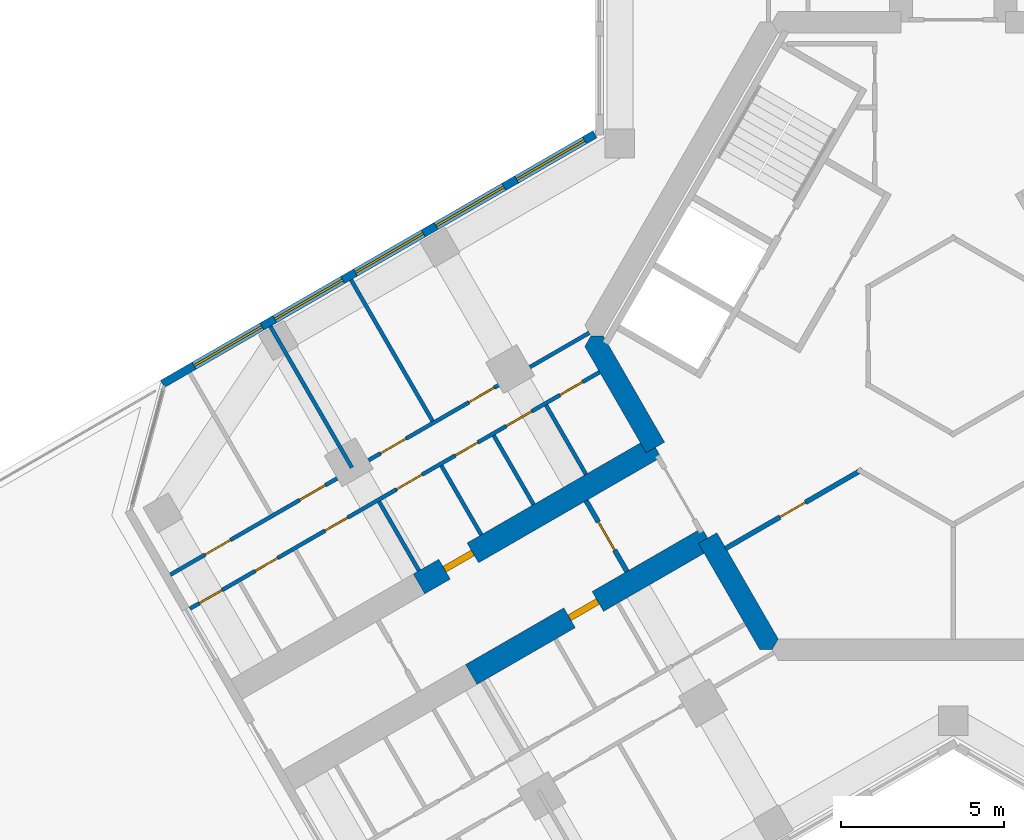
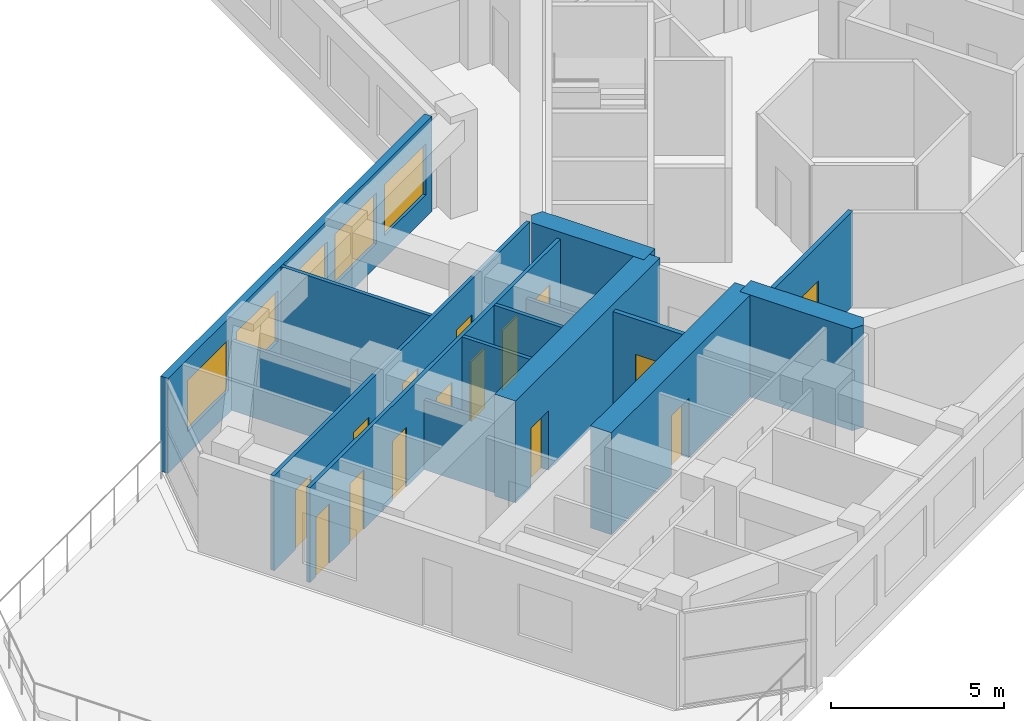
# One storey, part 9 of 17: 15 doors, 15 walls, 5 windows, 20 openings.
"""IFC4 building model written with IfcOpenShell, lengths in metres."""

from ifc_helpers import new_model, si_unit, direction, frame, frame_2d, origin, place, context, subcontext, project, spatial, polyline, rectangle, outline, extrude, material, layer, layer_set, type_object, element, fill, save


model = new_model("IFC4")

# Units and contexts
model_context = context("Model", 3, precision=1e-05, world=origin(), true_north=direction((0.0, 1.0)))
body_context = subcontext(model_context, "Body", "Model", "MODEL_VIEW")
ifc_project = project(units=[si_unit("LENGTHUNIT", "METRE"), si_unit("AREAUNIT", "SQUARE_METRE"), si_unit("VOLUMEUNIT", "CUBIC_METRE"), si_unit("PLANEANGLEUNIT", "RADIAN"), si_unit("MASSUNIT", "GRAM", prefix="KILO")], contexts=[model_context])

# Site, building, storey
site_placement = place(None, origin())
site = spatial("IfcSite", under=ifc_project, at=site_placement, CompositionType="ELEMENT")
building_placement = place(site_placement, origin())
building = spatial("IfcBuilding", under=site, at=building_placement, Name="Kosmar Iwan School Tower", CompositionType="ELEMENT")
storey_placement = place(building_placement, frame((0.0, 0.0, 193.800048828125)))
storey = spatial("IfcBuildingStorey", under=building, at=storey_placement, Name="L48", CompositionType="ELEMENT", Elevation=193.800048828125)

# Wall, opening, door
ifc_material_1 = material(Name="Gypsum board on steel studs, fire-rated", Category="steel")
ifc_layer_1 = layer(ifc_material_1, 0.14990234375)
ifc_layer_set_1 = layer_set([ifc_layer_1], Name="Core room partition 150")
wall_type_1 = type_object("IfcWallType", Name="Core room partition 150", PredefinedType="PARTITIONING", material=ifc_layer_set_1)
wall_1_placement = place(storey_placement, frame((-6.974609375, -6.509521484375, 0.0), z_axis=(0.0, 0.0, 1.0), x_axis=(0.866010775586, 0.500025335927, 0.0)))
wall_1 = element("IfcWall", 1, at=wall_1_placement, inside=storey, type_object=wall_type_1, Name="Core room partition L48-CW5", PredefinedType="PARTITIONING", context=body_context, shape_type="SweptSolid", body=[
    extrude(rectangle(XDim=4.837646484375, YDim=0.14990234375, at=frame_2d((2.4189453125, 0.0))), origin(), (0.0, 0.0, 1.0), 3.349853515625),
])
opening_1_placement = place(wall_1_placement, frame((1.93408203125, 0.0, 0.0)))
opening_1 = element("IfcOpeningElement", 2, at=opening_1_placement, cuts=wall_1, Name="Opening D14", PredefinedType="OPENING", context=body_context, shape_type="SweptSolid", body=[
    extrude(rectangle(XDim=0.89990234375, YDim=2.10009765625, at=frame_2d((0.449951171875, 1.050048828125))), frame((0.0, 0.0869140625, 0.0), z_axis=(0.0, -1.0, 0.0), x_axis=(1.0, 0.0, 0.0)), (0.0, 0.0, 1.0), 0.173828125),
])
ifc_material_2 = material(Name="Timber fire door in steel frame", Category="steel")
door_type_1 = type_object("IfcDoorType", Name="Core room door 900x2100", OperationType="SINGLE_SWING_LEFT", PredefinedType="DOOR", material=ifc_material_2)
door_1_placement = place(opening_1_placement, origin())
door_1 = element("IfcDoor", 3, at=door_1_placement, inside=storey, type_object=door_type_1, Name="Residents' pantry door L48 3", OperationType="SINGLE_SWING_LEFT", OverallHeight=2.10009765625, OverallWidth=0.89990234375, PredefinedType="DOOR", context=body_context, shape_type="SweptSolid", body=[
    extrude(rectangle(XDim=0.89990234375, YDim=2.10009765625, at=frame_2d((0.449951171875, 1.050048828125))), frame((0.0, 0.02490234375, 0.0), z_axis=(0.0, -1.0, 0.0), x_axis=(1.0, 0.0, 0.0)), (0.0, 0.0, 1.0), 0.050048828125),
])
fill(opening_1, door_1)

# Walls
ifc_material_3 = material(Name="Concrete C50/60", Category="concrete")
ifc_layer_2 = layer(ifc_material_3, 0.64990234375)
ifc_layer_set_2 = layer_set([ifc_layer_2], Name="Core wall 650")
wall_type_2 = type_object("IfcWallType", Name="Core wall 650", PredefinedType="SHEAR", material=ifc_layer_set_2)
wall_2_placement = place(storey_placement, origin())
element("IfcWall", 4, at=wall_2_placement, inside=storey, type_object=wall_type_2, Name="Core wall F210a", PredefinedType="SHEAR", context=body_context, shape_type="SweptSolid", body=[
    extrude(outline(polyline([(-9.395263671875, -3.576904296875), (-8.832275390625, -3.251953125), (-10.7099609375, 0.0), (-11.085205078125, 0.0), (-11.272705078125, -0.324951171875), (-9.395263671875, -3.576904296875)])), origin(), (0.0, 0.0, 1.0), 3.599853515625),
])
wall_3_placement = place(storey_placement, origin())
element("IfcWall", 5, at=wall_3_placement, inside=storey, type_object=wall_type_2, Name="Core wall F210b", PredefinedType="SHEAR", context=body_context, shape_type="SweptSolid", body=[
    extrude(outline(polyline([(-5.917724609375, -9.60009765625), (-5.54248046875, -9.60009765625), (-5.35498046875, -9.27490234375), (-7.232421875, -6.023193359375), (-7.79541015625, -6.34814453125), (-5.917724609375, -9.60009765625)])), origin(), (0.0, 0.0, 1.0), 3.599853515625),
])

# Wall, opening, door
ifc_material_4 = material(Name="Concrete C50/60", Category="concrete")
ifc_layer_3 = layer(ifc_material_4, 0.699951171875)
ifc_layer_set_3 = layer_set([ifc_layer_3], Name="Corridor buttress wall 700")
wall_type_3 = type_object("IfcWallType", Name="Corridor buttress wall 700", PredefinedType="SHEAR", material=ifc_layer_set_3)
wall_4_placement = place(storey_placement, frame((-7.513916015625, -6.185546875, 0.0), z_axis=(0.0, 0.0, 1.0), x_axis=(-0.866019549707, -0.500010139422, 0.0)))
wall_4 = element("IfcWall", 6, at=wall_4_placement, inside=storey, type_object=wall_type_3, Name="Corridor wall BL", PredefinedType="SHEAR", context=body_context, shape_type="SweptSolid", body=[
    extrude(rectangle(XDim=8.349853515625, YDim=0.699951171875, at=frame_2d((4.1748046875, 0.0))), origin(), (0.0, 0.0, 1.0), 3.599853515625),
])
opening_2_placement = place(wall_4_placement, frame((3.8798828125, 0.0, 0.0)))
opening_2 = element("IfcOpeningElement", 7, at=opening_2_placement, cuts=wall_4, Name="Opening D1", PredefinedType="OPENING", context=body_context, shape_type="SweptSolid", body=[
    extrude(rectangle(XDim=1.0, YDim=2.10009765625, at=frame_2d((0.5, 1.050048828125))), frame((0.0, 0.362060546875, 0.0), z_axis=(0.0, -1.0, 0.0), x_axis=(1.0, 0.0, 0.0)), (0.0, 0.0, 1.0), 0.723876953125),
])
ifc_material_5 = material(Name="Timber fire door in steel frame", Category="steel")
door_type_2 = type_object("IfcDoorType", Name="Flat entrance door 1000x2100", OperationType="SINGLE_SWING_LEFT", PredefinedType="DOOR", material=ifc_material_5)
door_2_placement = place(opening_2_placement, origin())
door_2 = element("IfcDoor", 8, at=door_2_placement, inside=storey, type_object=door_type_2, Name="Flat L48-BL1 entrance door", OperationType="SINGLE_SWING_LEFT", OverallHeight=2.10009765625, OverallWidth=1.0, PredefinedType="DOOR", context=body_context, shape_type="SweptSolid", body=[
    extrude(rectangle(XDim=1.0, YDim=2.10009765625, at=frame_2d((0.5, 1.050048828125))), frame((0.0, 0.10009765625, 0.0), z_axis=(0.0, -1.0, 0.0), x_axis=(1.0, 0.0, 0.0)), (0.0, 0.0, 1.0), 0.199951171875),
])
fill(opening_2, door_2)

wall_5_placement = place(storey_placement, frame((-9.11376953125, -3.414306640625, 0.0), z_axis=(0.0, 0.0, 1.0), x_axis=(-0.866026859388, -0.499997478812, 0.0)))
wall_5 = element("IfcWall", 9, at=wall_5_placement, inside=storey, type_object=wall_type_3, Name="Corridor wall BR", PredefinedType="SHEAR", context=body_context, shape_type="SweptSolid", body=[
    extrude(rectangle(XDim=8.35009765625, YDim=0.699951171875, at=frame_2d((4.175048828125, 0.0))), origin(), (0.0, 0.0, 1.0), 3.599853515625),
])
opening_3_placement = place(wall_5_placement, frame((6.449951171875, 0.0, 0.0)))
opening_3 = element("IfcOpeningElement", 10, at=opening_3_placement, cuts=wall_5, Name="Opening D1", PredefinedType="OPENING", context=body_context, shape_type="SweptSolid", body=[
    extrude(rectangle(XDim=1.0, YDim=2.10009765625, at=frame_2d((0.5, 1.050048828125))), frame((0.0, 0.362060546875, 0.0), z_axis=(0.0, -1.0, 0.0), x_axis=(1.0, 0.0, 0.0)), (0.0, 0.0, 1.0), 0.723876953125),
])
door_3_placement = place(opening_3_placement, origin())
door_3 = element("IfcDoor", 11, at=door_3_placement, inside=storey, type_object=door_type_2, Name="Flat L48-BR1 entrance door", OperationType="SINGLE_SWING_RIGHT", OverallHeight=2.10009765625, OverallWidth=1.0, PredefinedType="DOOR", context=body_context, shape_type="SweptSolid", body=[
    extrude(rectangle(XDim=1.0, YDim=2.10009765625, at=frame_2d((0.5, 1.050048828125))), frame((0.0, 0.10009765625, 0.0), z_axis=(0.0, -1.0, 0.0), x_axis=(1.0, 0.0, 0.0)), (0.0, 0.0, 1.0), 0.199951171875),
])
fill(opening_3, door_3)

ifc_material_6 = material(Name="Gypsum board on steel studs, fire-rated", Category="steel")
ifc_layer_4 = layer(ifc_material_6, 0.14990234375)
ifc_layer_set_4 = layer_set([ifc_layer_4], Name="Corridor end wall 150")
wall_type_4 = type_object("IfcWallType", Name="Corridor end wall 150", PredefinedType="PARTITIONING", material=ifc_layer_set_4)
wall_6_placement = place(storey_placement, frame((-11.23388671875, -5.04248046875, 0.0), z_axis=(0.0, 0.0, 1.0), x_axis=(0.500004234368, -0.866022959057, 0.0)))
wall_6 = element("IfcWall", 12, at=wall_6_placement, inside=storey, type_object=wall_type_4, Name="Partition L48-B-HW", PredefinedType="PARTITIONING", context=body_context, shape_type="SweptSolid", body=[
    extrude(rectangle(XDim=2.5, YDim=0.14990234375, at=frame_2d((1.25, 0.0))), origin(), (0.0, 0.0, 1.0), 3.349853515625),
])
opening_4_placement = place(wall_6_placement, frame((0.75, 0.0, 0.0)))
opening_4 = element("IfcOpeningElement", 13, at=opening_4_placement, cuts=wall_6, Name="Opening D13", PredefinedType="OPENING", context=body_context, shape_type="SweptSolid", body=[
    extrude(rectangle(XDim=1.0, YDim=2.10009765625, at=frame_2d((0.5, 1.050048828125))), frame((0.0, 0.0869140625, 0.0), z_axis=(0.0, -1.0, 0.0), x_axis=(1.0, 0.0, 0.0)), (0.0, 0.0, 1.0), 0.173828125),
])
ifc_material_7 = material(Name="Timber fire door with vision panel", Category="wood")
door_type_3 = type_object("IfcDoorType", Name="Corridor end door 1000x2100", OperationType="SINGLE_SWING_LEFT", PredefinedType="DOOR", material=ifc_material_7)
door_4_placement = place(opening_4_placement, origin())
door_4 = element("IfcDoor", 14, at=door_4_placement, inside=storey, type_object=door_type_3, Name="Entrance door L48-B", OperationType="SINGLE_SWING_RIGHT", OverallHeight=2.10009765625, OverallWidth=1.0, PredefinedType="DOOR", context=body_context, shape_type="SweptSolid", body=[
    extrude(rectangle(XDim=1.0, YDim=2.10009765625, at=frame_2d((0.5, 1.050048828125))), frame((0.0, 0.02490234375, 0.0), z_axis=(0.0, -1.0, 0.0), x_axis=(1.0, 0.0, 0.0)), (0.0, 0.0, 1.0), 0.050048828125),
])
fill(opening_4, door_4)

# Wall, openings, doors
ifc_material_8 = material(Name="Gypsum board on steel studs", Category="steel")
ifc_layer_5 = layer(ifc_material_8, 0.1201171875)
ifc_layer_set_5 = layer_set([ifc_layer_5], Name="Dwelling partition 120")
wall_type_5 = type_object("IfcWallType", Name="Dwelling partition 120", PredefinedType="PARTITIONING", material=ifc_layer_set_5)
wall_7_placement = place(storey_placement, frame((-10.8203125, -1.108642578125, 0.0), z_axis=(0.0, 0.0, 1.0), x_axis=(-0.866022679044, -0.50000471936, 0.0)))
wall_7 = element("IfcWall", 15, at=wall_7_placement, inside=storey, type_object=wall_type_5, Name="Partition L48-BR1-W1", PredefinedType="PARTITIONING", context=body_context, shape_type="SweptSolid", body=[
    extrude(rectangle(XDim=14.474853515625, YDim=0.1201171875, at=frame_2d((7.2373046875, 0.0))), origin(), (0.0, 0.0, 1.0), 3.349853515625),
])
opening_5_placement = place(wall_7_placement, frame((0.60009765625, 0.0, 0.0)))
opening_5 = element("IfcOpeningElement", 16, at=opening_5_placement, cuts=wall_7, Name="Opening D3", PredefinedType="OPENING", context=body_context, shape_type="SweptSolid", body=[
    extrude(rectangle(XDim=0.800048828125, YDim=2.10009765625, at=frame_2d((0.39990234375, 1.050048828125))), frame((0.0, 0.072021484375, 0.0), z_axis=(0.0, -1.0, 0.0), x_axis=(1.0, 0.0, 0.0)), (0.0, 0.0, 1.0), 0.14404296875),
])
opening_6_placement = place(wall_7_placement, frame((2.39990234375, 0.0, 0.0)))
opening_6 = element("IfcOpeningElement", 17, at=opening_6_placement, cuts=wall_7, Name="Opening D2", PredefinedType="OPENING", context=body_context, shape_type="SweptSolid", body=[
    extrude(rectangle(XDim=0.89990234375, YDim=2.10009765625, at=frame_2d((0.449951171875, 1.050048828125))), frame((0.0, 0.072021484375, 0.0), z_axis=(0.0, -1.0, 0.0), x_axis=(1.0, 0.0, 0.0)), (0.0, 0.0, 1.0), 0.14404296875),
])
opening_7_placement = place(wall_7_placement, frame((4.300048828125, 0.0, 0.0)))
opening_7 = element("IfcOpeningElement", 18, at=opening_7_placement, cuts=wall_7, Name="Opening D3", PredefinedType="OPENING", context=body_context, shape_type="SweptSolid", body=[
    extrude(rectangle(XDim=0.800048828125, YDim=2.10009765625, at=frame_2d((0.39990234375, 1.050048828125))), frame((0.0, 0.072021484375, 0.0), z_axis=(0.0, -1.0, 0.0), x_axis=(1.0, 0.0, 0.0)), (0.0, 0.0, 1.0), 0.14404296875),
])
opening_8_placement = place(wall_7_placement, frame((6.27490234375, 0.0, 0.0)))
opening_8 = element("IfcOpeningElement", 19, at=opening_8_placement, cuts=wall_7, Name="Opening D2", PredefinedType="OPENING", context=body_context, shape_type="SweptSolid", body=[
    extrude(rectangle(XDim=0.89990234375, YDim=2.10009765625, at=frame_2d((0.449951171875, 1.050048828125))), frame((0.0, 0.072021484375, 0.0), z_axis=(0.0, -1.0, 0.0), x_axis=(1.0, 0.0, 0.0)), (0.0, 0.0, 1.0), 0.14404296875),
])
opening_9_placement = place(wall_7_placement, frame((8.903564453125, 0.0, 0.0)))
opening_9 = element("IfcOpeningElement", 20, at=opening_9_placement, cuts=wall_7, Name="Opening D3", PredefinedType="OPENING", context=body_context, shape_type="SweptSolid", body=[
    extrude(rectangle(XDim=0.800048828125, YDim=2.10009765625, at=frame_2d((0.39990234375, 1.050048828125))), frame((0.0, 0.072021484375, 0.0), z_axis=(0.0, -1.0, 0.0), x_axis=(1.0, 0.0, 0.0)), (0.0, 0.0, 1.0), 0.14404296875),
])
opening_10_placement = place(wall_7_placement, frame((11.367919921875, 0.0, 0.0)))
opening_10 = element("IfcOpeningElement", 21, at=opening_10_placement, cuts=wall_7, Name="Opening D3", PredefinedType="OPENING", context=body_context, shape_type="SweptSolid", body=[
    extrude(rectangle(XDim=0.800048828125, YDim=2.10009765625, at=frame_2d((0.39990234375, 1.050048828125))), frame((0.0, 0.072021484375, 0.0), z_axis=(0.0, -1.0, 0.0), x_axis=(1.0, 0.0, 0.0)), (0.0, 0.0, 1.0), 0.14404296875),
])
opening_11_placement = place(wall_7_placement, frame((13.33935546875, 0.0, 0.0)))
opening_11 = element("IfcOpeningElement", 22, at=opening_11_placement, cuts=wall_7, Name="Opening D3", PredefinedType="OPENING", context=body_context, shape_type="SweptSolid", body=[
    extrude(rectangle(XDim=0.800048828125, YDim=2.10009765625, at=frame_2d((0.39990234375, 1.050048828125))), frame((0.0, 0.072021484375, 0.0), z_axis=(0.0, -1.0, 0.0), x_axis=(1.0, 0.0, 0.0)), (0.0, 0.0, 1.0), 0.14404296875),
])
ifc_material_9 = material(Name="Timber door in timber frame", Category="wood")
door_type_4 = type_object("IfcDoorType", Name="Internal door 900x2100", OperationType="SINGLE_SWING_LEFT", PredefinedType="DOOR", material=ifc_material_9)
door_5_placement = place(opening_6_placement, origin())
door_5 = element("IfcDoor", 23, at=door_5_placement, inside=storey, type_object=door_type_4, Name="Pantry door L48-BR1-S2", OperationType="SINGLE_SWING_LEFT", OverallHeight=2.10009765625, OverallWidth=0.89990234375, PredefinedType="DOOR", context=body_context, shape_type="SweptSolid", body=[
    extrude(rectangle(XDim=0.89990234375, YDim=2.10009765625, at=frame_2d((0.449951171875, 1.050048828125))), frame((0.0, 0.02490234375, 0.0), z_axis=(0.0, -1.0, 0.0), x_axis=(1.0, 0.0, 0.0)), (0.0, 0.0, 1.0), 0.050048828125),
])
fill(opening_6, door_5)
door_6_placement = place(opening_8_placement, origin())
door_6 = element("IfcDoor", 24, at=door_6_placement, inside=storey, type_object=door_type_4, Name="Entrance hall door L48-BR1-S4", OperationType="SINGLE_SWING_LEFT", OverallHeight=2.10009765625, OverallWidth=0.89990234375, PredefinedType="DOOR", context=body_context, shape_type="SweptSolid", body=[
    extrude(rectangle(XDim=0.89990234375, YDim=2.10009765625, at=frame_2d((0.449951171875, 1.050048828125))), frame((0.0, 0.02490234375, 0.0), z_axis=(0.0, -1.0, 0.0), x_axis=(1.0, 0.0, 0.0)), (0.0, 0.0, 1.0), 0.050048828125),
])
fill(opening_8, door_6)
ifc_material_10 = material(Name="Timber door in timber frame", Category="wood")
door_type_5 = type_object("IfcDoorType", Name="Sanitary room door 800x2100", OperationType="SINGLE_SWING_LEFT", PredefinedType="DOOR", material=ifc_material_10)
door_7_placement = place(opening_5_placement, origin())
door_7 = element("IfcDoor", 25, at=door_7_placement, inside=storey, type_object=door_type_5, Name="Store door L48-BR1-S1", OperationType="SINGLE_SWING_RIGHT", OverallHeight=2.10009765625, OverallWidth=0.800048828125, PredefinedType="DOOR", context=body_context, shape_type="SweptSolid", body=[
    extrude(rectangle(XDim=0.800048828125, YDim=2.10009765625, at=frame_2d((0.39990234375, 1.050048828125))), frame((0.0, 0.02490234375, 0.0), z_axis=(0.0, -1.0, 0.0), x_axis=(1.0, 0.0, 0.0)), (0.0, 0.0, 1.0), 0.050048828125),
])
fill(opening_5, door_7)
door_8_placement = place(opening_7_placement, origin())
door_8 = element("IfcDoor", 26, at=door_8_placement, inside=storey, type_object=door_type_5, Name="Grandparents' shower room door L48-BR1-S3", OperationType="SINGLE_SWING_RIGHT", OverallHeight=2.10009765625, OverallWidth=0.800048828125, PredefinedType="DOOR", context=body_context, shape_type="SweptSolid", body=[
    extrude(rectangle(XDim=0.800048828125, YDim=2.10009765625, at=frame_2d((0.39990234375, 1.050048828125))), frame((0.0, 0.02490234375, 0.0), z_axis=(0.0, -1.0, 0.0), x_axis=(1.0, 0.0, 0.0)), (0.0, 0.0, 1.0), 0.050048828125),
])
fill(opening_7, door_8)
door_9_placement = place(opening_9_placement, origin())
door_9 = element("IfcDoor", 27, at=door_9_placement, inside=storey, type_object=door_type_5, Name="Bathroom door L48-BR1-S5", OperationType="SINGLE_SWING_RIGHT", OverallHeight=2.10009765625, OverallWidth=0.800048828125, PredefinedType="DOOR", context=body_context, shape_type="SweptSolid", body=[
    extrude(rectangle(XDim=0.800048828125, YDim=2.10009765625, at=frame_2d((0.39990234375, 1.050048828125))), frame((0.0, 0.02490234375, 0.0), z_axis=(0.0, -1.0, 0.0), x_axis=(1.0, 0.0, 0.0)), (0.0, 0.0, 1.0), 0.050048828125),
])
fill(opening_9, door_9)
door_10_placement = place(opening_10_placement, origin())
door_10 = element("IfcDoor", 28, at=door_10_placement, inside=storey, type_object=door_type_5, Name="Shower room door L48-BR1-S6", OperationType="SINGLE_SWING_LEFT", OverallHeight=2.10009765625, OverallWidth=0.800048828125, PredefinedType="DOOR", context=body_context, shape_type="SweptSolid", body=[
    extrude(rectangle(XDim=0.800048828125, YDim=2.10009765625, at=frame_2d((0.39990234375, 1.050048828125))), frame((0.0, 0.02490234375, 0.0), z_axis=(0.0, -1.0, 0.0), x_axis=(1.0, 0.0, 0.0)), (0.0, 0.0, 1.0), 0.050048828125),
])
fill(opening_10, door_10)
door_11_placement = place(opening_11_placement, origin())
door_11 = element("IfcDoor", 29, at=door_11_placement, inside=storey, type_object=door_type_5, Name="WC door L48-BR1-S7", OperationType="SINGLE_SWING_RIGHT", OverallHeight=2.10009765625, OverallWidth=0.800048828125, PredefinedType="DOOR", context=body_context, shape_type="SweptSolid", body=[
    extrude(rectangle(XDim=0.800048828125, YDim=2.10009765625, at=frame_2d((0.39990234375, 1.050048828125))), frame((0.0, 0.02490234375, 0.0), z_axis=(0.0, -1.0, 0.0), x_axis=(1.0, 0.0, 0.0)), (0.0, 0.0, 1.0), 0.050048828125),
])
fill(opening_11, door_11)

wall_8_placement = place(storey_placement, frame((-11.138916015625, 0.093017578125, 0.0), z_axis=(0.0, 0.0, 1.0), x_axis=(-0.86602763084, -0.499996142607, 0.0)))
wall_8 = element("IfcWall", 30, at=wall_8_placement, inside=storey, type_object=wall_type_5, Name="Partition L48-BR1-W2", PredefinedType="PARTITIONING", context=body_context, shape_type="SweptSolid", body=[
    extrude(rectangle(XDim=14.7998046875, YDim=0.1201171875, at=frame_2d((7.39990234375, 0.0))), origin(), (0.0, 0.0, 1.0), 3.349853515625),
])
opening_12_placement = place(wall_8_placement, frame((3.35009765625, 0.0, 0.0)))
opening_12 = element("IfcOpeningElement", 31, at=opening_12_placement, cuts=wall_8, Name="Opening D2", PredefinedType="OPENING", context=body_context, shape_type="SweptSolid", body=[
    extrude(rectangle(XDim=0.89990234375, YDim=2.10009765625, at=frame_2d((0.449951171875, 1.050048828125))), frame((0.0, 0.072021484375, 0.0), z_axis=(0.0, -1.0, 0.0), x_axis=(1.0, 0.0, 0.0)), (0.0, 0.0, 1.0), 0.14404296875),
])
opening_13_placement = place(wall_8_placement, frame((6.47509765625, 0.0, 0.0)))
opening_13 = element("IfcOpeningElement", 32, at=opening_13_placement, cuts=wall_8, Name="Opening D2", PredefinedType="OPENING", context=body_context, shape_type="SweptSolid", body=[
    extrude(rectangle(XDim=0.89990234375, YDim=2.10009765625, at=frame_2d((0.449951171875, 1.050048828125))), frame((0.0, 0.072021484375, 0.0), z_axis=(0.0, -1.0, 0.0), x_axis=(1.0, 0.0, 0.0)), (0.0, 0.0, 1.0), 0.14404296875),
])
opening_14_placement = place(wall_8_placement, frame((9.324951171875, 0.0, 0.0)))
opening_14 = element("IfcOpeningElement", 33, at=opening_14_placement, cuts=wall_8, Name="Opening D2", PredefinedType="OPENING", context=body_context, shape_type="SweptSolid", body=[
    extrude(rectangle(XDim=0.89990234375, YDim=2.10009765625, at=frame_2d((0.449951171875, 1.050048828125))), frame((0.0, 0.072021484375, 0.0), z_axis=(0.0, -1.0, 0.0), x_axis=(1.0, 0.0, 0.0)), (0.0, 0.0, 1.0), 0.14404296875),
])
opening_15_placement = place(wall_8_placement, frame((12.675048828125, 0.0, 0.0)))
opening_15 = element("IfcOpeningElement", 34, at=opening_15_placement, cuts=wall_8, Name="Opening D2", PredefinedType="OPENING", context=body_context, shape_type="SweptSolid", body=[
    extrude(rectangle(XDim=0.89990234375, YDim=2.10009765625, at=frame_2d((0.449951171875, 1.050048828125))), frame((0.0, 0.072021484375, 0.0), z_axis=(0.0, -1.0, 0.0), x_axis=(1.0, 0.0, 0.0)), (0.0, 0.0, 1.0), 0.14404296875),
])
door_12_placement = place(opening_12_placement, origin())
door_12 = element("IfcDoor", 35, at=door_12_placement, inside=storey, type_object=door_type_4, Name="Grandparents' suite door L48-BR1-F1", OperationType="SINGLE_SWING_LEFT", OverallHeight=2.10009765625, OverallWidth=0.89990234375, PredefinedType="DOOR", context=body_context, shape_type="SweptSolid", body=[
    extrude(rectangle(XDim=0.89990234375, YDim=2.10009765625, at=frame_2d((0.449951171875, 1.050048828125))), frame((0.0, 0.02490234375, 0.0), z_axis=(0.0, -1.0, 0.0), x_axis=(1.0, 0.0, 0.0)), (0.0, 0.0, 1.0), 0.050048828125),
])
fill(opening_12, door_12)
door_13_placement = place(opening_13_placement, origin())
door_13 = element("IfcDoor", 36, at=door_13_placement, inside=storey, type_object=door_type_4, Name="Bedroom 1 door L48-BR1-F2", OperationType="SINGLE_SWING_LEFT", OverallHeight=2.10009765625, OverallWidth=0.89990234375, PredefinedType="DOOR", context=body_context, shape_type="SweptSolid", body=[
    extrude(rectangle(XDim=0.89990234375, YDim=2.10009765625, at=frame_2d((0.449951171875, 1.050048828125))), frame((0.0, 0.02490234375, 0.0), z_axis=(0.0, -1.0, 0.0), x_axis=(1.0, 0.0, 0.0)), (0.0, 0.0, 1.0), 0.050048828125),
])
fill(opening_13, door_13)
door_14_placement = place(opening_14_placement, origin())
door_14 = element("IfcDoor", 37, at=door_14_placement, inside=storey, type_object=door_type_4, Name="Family room and kitchen door L48-BR1-F3", OperationType="SINGLE_SWING_RIGHT", OverallHeight=2.10009765625, OverallWidth=0.89990234375, PredefinedType="DOOR", context=body_context, shape_type="SweptSolid", body=[
    extrude(rectangle(XDim=0.89990234375, YDim=2.10009765625, at=frame_2d((0.449951171875, 1.050048828125))), frame((0.0, 0.02490234375, 0.0), z_axis=(0.0, -1.0, 0.0), x_axis=(1.0, 0.0, 0.0)), (0.0, 0.0, 1.0), 0.050048828125),
])
fill(opening_14, door_14)
door_15_placement = place(opening_15_placement, origin())
door_15 = element("IfcDoor", 38, at=door_15_placement, inside=storey, type_object=door_type_4, Name="Study door L48-BR1-F4", OperationType="SINGLE_SWING_RIGHT", OverallHeight=2.10009765625, OverallWidth=0.89990234375, PredefinedType="DOOR", context=body_context, shape_type="SweptSolid", body=[
    extrude(rectangle(XDim=0.89990234375, YDim=2.10009765625, at=frame_2d((0.449951171875, 1.050048828125))), frame((0.0, 0.02490234375, 0.0), z_axis=(0.0, -1.0, 0.0), x_axis=(1.0, 0.0, 0.0)), (0.0, 0.0, 1.0), 0.050048828125),
])
fill(opening_15, door_15)

# Walls
wall_9_placement = place(storey_placement, frame((-15.931884765625, -2.60498046875, 0.0), z_axis=(0.0, 0.0, 1.0), x_axis=(-0.500011847778, 0.866018563358, 0.0)))
element("IfcWall", 39, at=wall_9_placement, inside=storey, type_object=wall_type_5, Name="Partition L48-BR1-X1", PredefinedType="PARTITIONING", context=body_context, shape_type="SweptSolid", body=[
    extrude(rectangle(XDim=4.990234375, YDim=0.1201171875, at=frame_2d((2.4951171875, 0.0))), origin(), (0.0, 0.0, 1.0), 3.349853515625),
])
wall_10_placement = place(storey_placement, frame((-18.400146484375, -4.030029296875, 0.0), z_axis=(0.0, 0.0, 1.0), x_axis=(-0.500011847778, 0.866018563358, 0.0)))
element("IfcWall", 40, at=wall_10_placement, inside=storey, type_object=wall_type_5, Name="Partition L48-BR1-X2", PredefinedType="PARTITIONING", context=body_context, shape_type="SweptSolid", body=[
    extrude(rectangle(XDim=4.990234375, YDim=0.1201171875, at=frame_2d((2.4951171875, 0.0))), origin(), (0.0, 0.0, 1.0), 2.449951171875),
])
wall_11_placement = place(storey_placement, frame((-11.2373046875, -4.236328125, 0.0), z_axis=(0.0, 0.0, 1.0), x_axis=(-0.500034220881, 0.866005645448, 0.0)))
element("IfcWall", 41, at=wall_11_placement, inside=storey, type_object=wall_type_5, Name="Partition L48-BR1-Y1", PredefinedType="PARTITIONING", context=body_context, shape_type="SweptSolid", body=[
    extrude(rectangle(XDim=2.440185546875, YDim=0.1201171875, at=frame_2d((1.22021484375, 0.0))), origin(), (0.0, 0.0, 1.0), 2.449951171875),
])
wall_12_placement = place(storey_placement, frame((-12.839599609375, -5.161376953125, 0.0), z_axis=(0.0, 0.0, 1.0), x_axis=(-0.499959183527, 0.866048967903, 0.0)))
element("IfcWall", 42, at=wall_12_placement, inside=storey, type_object=wall_type_5, Name="Partition L48-BR1-Y2", PredefinedType="PARTITIONING", context=body_context, shape_type="SweptSolid", body=[
    extrude(rectangle(XDim=2.440185546875, YDim=0.1201171875, at=frame_2d((1.22021484375, 0.0))), origin(), (0.0, 0.0, 1.0), 3.349853515625),
])
wall_13_placement = place(storey_placement, frame((-14.441650390625, -6.086181640625, 0.0), z_axis=(0.0, 0.0, 1.0), x_axis=(-0.500002508028, 0.866023955769, 0.0)))
element("IfcWall", 43, at=wall_13_placement, inside=storey, type_object=wall_type_5, Name="Partition L48-BR1-Y3", PredefinedType="PARTITIONING", context=body_context, shape_type="SweptSolid", body=[
    extrude(rectangle(XDim=2.43994140625, YDim=0.1201171875, at=frame_2d((1.219970703125, 0.0))), origin(), (0.0, 0.0, 1.0), 3.349853515625),
])
wall_14_placement = place(storey_placement, frame((-16.346923828125, -7.186279296875, 0.0), z_axis=(0.0, 0.0, 1.0), x_axis=(-0.500002508028, 0.866023955769, 0.0)))
element("IfcWall", 44, at=wall_14_placement, inside=storey, type_object=wall_type_5, Name="Partition L48-BR1-Y4", PredefinedType="PARTITIONING", context=body_context, shape_type="SweptSolid", body=[
    extrude(rectangle(XDim=2.43994140625, YDim=0.1201171875, at=frame_2d((1.219970703125, 0.0))), origin(), (0.0, 0.0, 1.0), 2.449951171875),
])

# Wall, openings, windows
ifc_material_11 = material(Name="Black aluminium rainscreen on insulated framing", Category="aluminium")
ifc_layer_6 = layer(ifc_material_11, 0.25)
ifc_layer_set_6 = layer_set([ifc_layer_6], Name="External wall rainscreen 250")
wall_type_6 = type_object("IfcWallType", Name="External wall rainscreen 250", PredefinedType="SOLIDWALL", material=ifc_layer_set_6)
wall_15_placement = place(storey_placement, frame((-10.962890625, 6.170166015625, 0.0), z_axis=(0.0, 0.0, 1.0), x_axis=(-0.866025637253, -0.499999595621, 0.0)))
wall_15 = element("IfcWall", 45, at=wall_15_placement, inside=storey, type_object=wall_type_6, Name="External wall BR L48", PredefinedType="SOLIDWALL", context=body_context, shape_type="SweptSolid", body=[
    extrude(rectangle(XDim=15.2763671875, YDim=0.25, at=frame_2d((7.63818359375, 0.0))), origin(), (0.0, 0.0, 1.0), 3.349853515625),
])
opening_16_placement = place(wall_15_placement, frame((0.365966796875, 0.0, 0.800048828125)))
opening_16 = element("IfcOpeningElement", 46, at=opening_16_placement, cuts=wall_15, Name="Opening W5", PredefinedType="OPENING", context=body_context, shape_type="SweptSolid", body=[
    extrude(rectangle(XDim=2.39990234375, YDim=1.800048828125, at=frame_2d((1.199951171875, 0.89990234375))), frame((0.0, 0.136962890625, 0.0), z_axis=(0.0, -1.0, 0.0), x_axis=(1.0, 0.0, 0.0)), (0.0, 0.0, 1.0), 0.27392578125),
])
opening_17_placement = place(wall_15_placement, frame((3.216064453125, 0.0, 0.800048828125)))
opening_17 = element("IfcOpeningElement", 47, at=opening_17_placement, cuts=wall_15, Name="Opening W5", PredefinedType="OPENING", context=body_context, shape_type="SweptSolid", body=[
    extrude(rectangle(XDim=2.39990234375, YDim=1.800048828125, at=frame_2d((1.199951171875, 0.89990234375))), frame((0.0, 0.136962890625, 0.0), z_axis=(0.0, -1.0, 0.0), x_axis=(1.0, 0.0, 0.0)), (0.0, 0.0, 1.0), 0.27392578125),
])
opening_18_placement = place(wall_15_placement, frame((6.06591796875, 0.0, 0.800048828125)))
opening_18 = element("IfcOpeningElement", 48, at=opening_18_placement, cuts=wall_15, Name="Opening W5", PredefinedType="OPENING", context=body_context, shape_type="SweptSolid", body=[
    extrude(rectangle(XDim=2.39990234375, YDim=1.800048828125, at=frame_2d((1.199951171875, 0.89990234375))), frame((0.0, 0.136962890625, 0.0), z_axis=(0.0, -1.0, 0.0), x_axis=(1.0, 0.0, 0.0)), (0.0, 0.0, 1.0), 0.27392578125),
])
opening_19_placement = place(wall_15_placement, frame((8.916015625, 0.0, 0.800048828125)))
opening_19 = element("IfcOpeningElement", 49, at=opening_19_placement, cuts=wall_15, Name="Opening W5", PredefinedType="OPENING", context=body_context, shape_type="SweptSolid", body=[
    extrude(rectangle(XDim=2.39990234375, YDim=1.800048828125, at=frame_2d((1.199951171875, 0.89990234375))), frame((0.0, 0.136962890625, 0.0), z_axis=(0.0, -1.0, 0.0), x_axis=(1.0, 0.0, 0.0)), (0.0, 0.0, 1.0), 0.27392578125),
])
opening_20_placement = place(wall_15_placement, frame((11.76611328125, 0.0, 0.800048828125)))
opening_20 = element("IfcOpeningElement", 50, at=opening_20_placement, cuts=wall_15, Name="Opening W5", PredefinedType="OPENING", context=body_context, shape_type="SweptSolid", body=[
    extrude(rectangle(XDim=2.39990234375, YDim=1.800048828125, at=frame_2d((1.199951171875, 0.89990234375))), frame((0.0, 0.136962890625, 0.0), z_axis=(0.0, -1.0, 0.0), x_axis=(1.0, 0.0, 0.0)), (0.0, 0.0, 1.0), 0.27392578125),
])
ifc_material_12 = material(Name="Black aluminium frame with dark triple glazing", Category="aluminium")
window_type = type_object("IfcWindowType", Name="Window 2400x1800", PartitioningType="SINGLE_PANEL", PredefinedType="WINDOW", material=ifc_material_12)
window_1_placement = place(opening_16_placement, origin())
window_1 = element("IfcWindow", 51, at=window_1_placement, inside=storey, type_object=window_type, Name="Window BR L48 -1", OverallHeight=1.800048828125, OverallWidth=2.39990234375, PartitioningType="SINGLE_PANEL", PredefinedType="WINDOW", context=body_context, shape_type="SweptSolid", body=[
    extrude(rectangle(XDim=2.39990234375, YDim=1.800048828125, at=frame_2d((1.199951171875, 0.89990234375))), frame((0.0, 0.030029296875, 0.0), z_axis=(0.0, -1.0, 0.0), x_axis=(1.0, 0.0, 0.0)), (0.0, 0.0, 1.0), 0.06005859375),
])
fill(opening_16, window_1)
window_2_placement = place(opening_17_placement, origin())
window_2 = element("IfcWindow", 52, at=window_2_placement, inside=storey, type_object=window_type, Name="Window BR L48 0", OverallHeight=1.800048828125, OverallWidth=2.39990234375, PartitioningType="SINGLE_PANEL", PredefinedType="WINDOW", context=body_context, shape_type="SweptSolid", body=[
    extrude(rectangle(XDim=2.39990234375, YDim=1.800048828125, at=frame_2d((1.199951171875, 0.89990234375))), frame((0.0, 0.030029296875, 0.0), z_axis=(0.0, -1.0, 0.0), x_axis=(1.0, 0.0, 0.0)), (0.0, 0.0, 1.0), 0.06005859375),
])
fill(opening_17, window_2)
window_3_placement = place(opening_18_placement, origin())
window_3 = element("IfcWindow", 53, at=window_3_placement, inside=storey, type_object=window_type, Name="Window BR L48 1", OverallHeight=1.800048828125, OverallWidth=2.39990234375, PartitioningType="SINGLE_PANEL", PredefinedType="WINDOW", context=body_context, shape_type="SweptSolid", body=[
    extrude(rectangle(XDim=2.39990234375, YDim=1.800048828125, at=frame_2d((1.199951171875, 0.89990234375))), frame((0.0, 0.030029296875, 0.0), z_axis=(0.0, -1.0, 0.0), x_axis=(1.0, 0.0, 0.0)), (0.0, 0.0, 1.0), 0.06005859375),
])
fill(opening_18, window_3)
window_4_placement = place(opening_19_placement, origin())
window_4 = element("IfcWindow", 54, at=window_4_placement, inside=storey, type_object=window_type, Name="Window BR L48 2", OverallHeight=1.800048828125, OverallWidth=2.39990234375, PartitioningType="SINGLE_PANEL", PredefinedType="WINDOW", context=body_context, shape_type="SweptSolid", body=[
    extrude(rectangle(XDim=2.39990234375, YDim=1.800048828125, at=frame_2d((1.199951171875, 0.89990234375))), frame((0.0, 0.030029296875, 0.0), z_axis=(0.0, -1.0, 0.0), x_axis=(1.0, 0.0, 0.0)), (0.0, 0.0, 1.0), 0.06005859375),
])
fill(opening_19, window_4)
window_5_placement = place(opening_20_placement, origin())
window_5 = element("IfcWindow", 55, at=window_5_placement, inside=storey, type_object=window_type, Name="Window BR L48 3", OverallHeight=1.800048828125, OverallWidth=2.39990234375, PartitioningType="SINGLE_PANEL", PredefinedType="WINDOW", context=body_context, shape_type="SweptSolid", body=[
    extrude(rectangle(XDim=2.39990234375, YDim=1.800048828125, at=frame_2d((1.199951171875, 0.89990234375))), frame((0.0, 0.030029296875, 0.0), z_axis=(0.0, -1.0, 0.0), x_axis=(1.0, 0.0, 0.0)), (0.0, 0.0, 1.0), 0.06005859375),
])
fill(opening_20, window_5)

save(model, "model.ifc")
